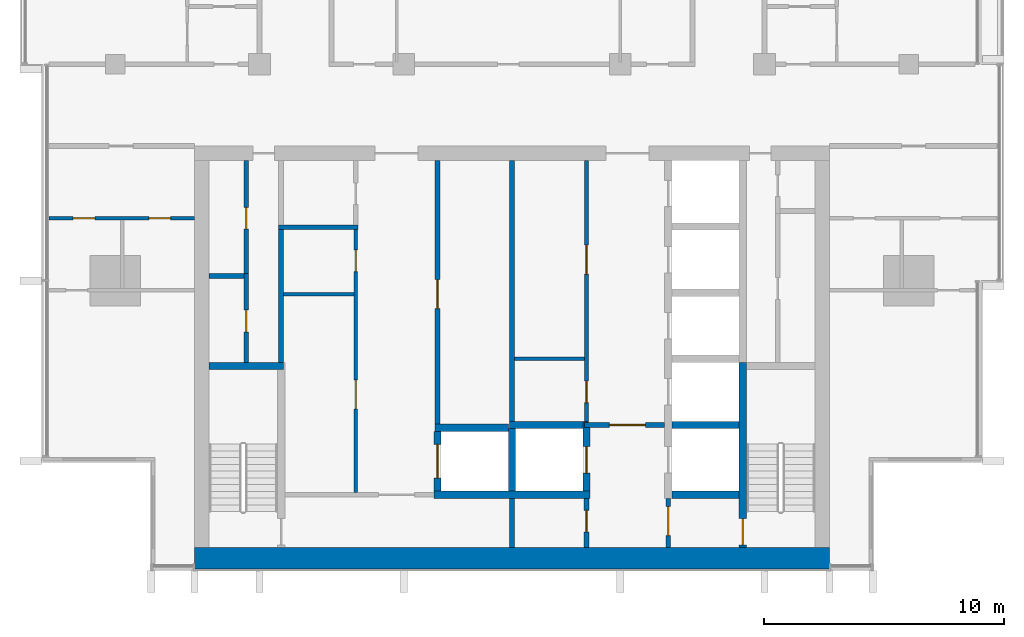
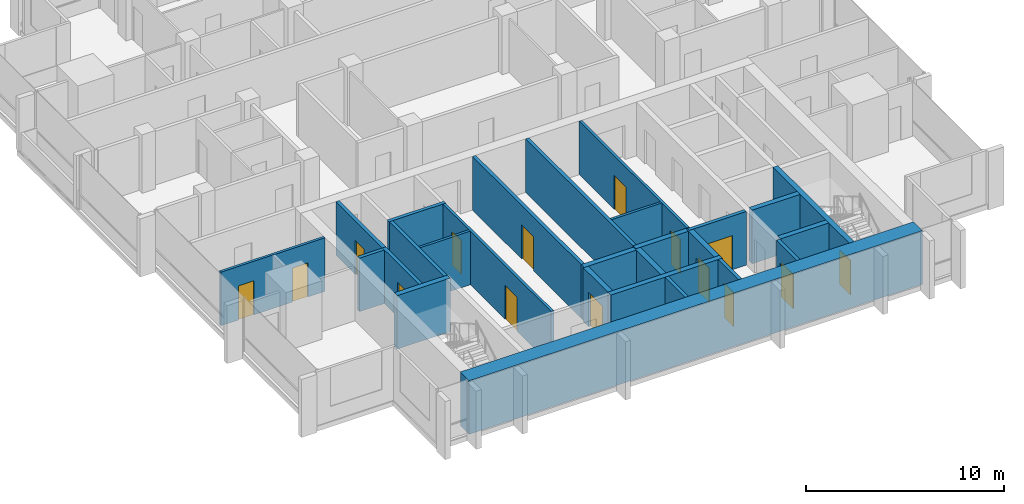
# One storey, part 7 of 16: 27 walls, 15 doors, 15 openings.
"""IFC4 building model written with IfcOpenShell, lengths in metres."""

from ifc_helpers import new_model, si_unit, direction, frame, frame_2d, origin, place, context, subcontext, project, spatial, rectangle, extrude, material, layer, layer_set, type_object, element, fill, save


model = new_model("IFC4")

# Units and contexts
model_context = context("Model", 3, precision=1e-05, world=origin(), true_north=direction((0.0, 1.0)))
body_context = subcontext(model_context, "Body", "Model", "MODEL_VIEW")
ifc_project = project(units=[si_unit("LENGTHUNIT", "METRE"), si_unit("AREAUNIT", "SQUARE_METRE"), si_unit("VOLUMEUNIT", "CUBIC_METRE"), si_unit("PLANEANGLEUNIT", "RADIAN"), si_unit("MASSUNIT", "GRAM", prefix="KILO")], contexts=[model_context])

# Site, building, storey
site_placement = place(None, origin())
site = spatial("IfcSite", under=ifc_project, at=site_placement, CompositionType="ELEMENT")
building_placement = place(site_placement, origin())
building = spatial("IfcBuilding", under=site, at=building_placement, Name="Finial Court Residences", CompositionType="ELEMENT")
storey_placement = place(building_placement, frame((0.0, 0.0, 237.5)))
storey = spatial("IfcBuildingStorey", under=building, at=storey_placement, Name="L60", CompositionType="ELEMENT", Elevation=237.5)

# Walls
ifc_material_1 = material(Name="Fire-rated gypsum board partition")
ifc_layer_1 = layer(ifc_material_1, 0.14990234375)
ifc_layer_set_1 = layer_set([ifc_layer_1], Name="Core room partition 150 EI 60")
wall_type_1 = type_object("IfcWallType", Name="Core room partition 150 EI 60", PredefinedType="PARTITIONING", material=ifc_layer_set_1)
wall_1_placement = place(storey_placement, frame((0.10009765625, -16.75, 0.0), z_axis=(0.0, 0.0, 1.0), x_axis=(1.0, 0.0, 0.0)))
element("IfcWall", 1, at=wall_1_placement, inside=storey, type_object=wall_type_1, Name="Core partition L60-10", PredefinedType="PARTITIONING", context=body_context, shape_type="SweptSolid", body=[
    extrude(rectangle(XDim=2.9248046875, YDim=0.14990234375, at=frame_2d((1.46240234375, 0.0))), origin(), (0.0, 0.0, 1.0), 3.300048828125),
])
wall_2_placement = place(storey_placement, frame((-9.5, -14.06005859375, 0.0), z_axis=(0.0, 0.0, 1.0), x_axis=(1.0, 0.0, 0.0)))
element("IfcWall", 2, at=wall_2_placement, inside=storey, type_object=wall_type_1, Name="Core partition L60-12", PredefinedType="PARTITIONING", context=body_context, shape_type="SweptSolid", body=[
    extrude(rectangle(XDim=2.925048828125, YDim=0.14990234375, at=frame_2d((1.46240234375, 0.0))), origin(), (0.0, 0.0, 1.0), 3.300048828125),
])

# Wall, openings, doors
wall_3_placement = place(storey_placement, frame((-6.5, -22.300048828125, 0.0), z_axis=(0.0, 0.0, 1.0), x_axis=(0.0, 1.0, 0.0)))
wall_3 = element("IfcWall", 3, at=wall_3_placement, inside=storey, type_object=wall_type_1, Name="Core partition L60-23", PredefinedType="PARTITIONING", context=body_context, shape_type="SweptSolid", body=[
    extrude(rectangle(XDim=10.920166015625, YDim=0.14990234375, at=frame_2d((5.4599609375, 0.0))), origin(), (0.0, 0.0, 1.0), 3.300048828125),
])
opening_1_placement = place(wall_3_placement, frame((3.469970703125, 0.0, 0.0)))
opening_1 = element("IfcOpeningElement", 4, at=opening_1_placement, cuts=wall_3, Name="Opening L60-C15", PredefinedType="OPENING", context=body_context, shape_type="SweptSolid", body=[
    extrude(rectangle(XDim=1.199951171875, YDim=2.10009765625, at=frame_2d((0.60009765625, 1.050048828125))), frame((0.0, 0.0849609375, 0.0), z_axis=(0.0, -1.0, 0.0), x_axis=(1.0, 0.0, 0.0)), (0.0, 0.0, 1.0), 0.169921875),
])
opening_2_placement = place(wall_3_placement, frame((9.179931640625, 0.0, 0.0)))
opening_2 = element("IfcOpeningElement", 5, at=opening_2_placement, cuts=wall_3, Name="Opening L60-C16", PredefinedType="OPENING", context=body_context, shape_type="SweptSolid", body=[
    extrude(rectangle(XDim=0.89990234375, YDim=2.10009765625, at=frame_2d((0.449951171875, 1.050048828125))), frame((0.0, 0.0849609375, 0.0), z_axis=(0.0, -1.0, 0.0), x_axis=(1.0, 0.0, 0.0)), (0.0, 0.0, 1.0), 0.169921875),
])
ifc_material_2 = material(Name="Steel fire door", Category="steel")
door_type_1 = type_object("IfcDoorType", Name="Core room door 1200 x 2100 EI 60", OperationType="NOTDEFINED", PredefinedType="DOOR", material=ifc_material_2)
door_1_placement = place(opening_1_placement, origin())
door_1 = element("IfcDoor", 6, at=door_1_placement, inside=storey, type_object=door_type_1, Name="Core room door L60-C15", OperationType="SINGLE_SWING_LEFT", OverallHeight=2.10009765625, OverallWidth=1.199951171875, PredefinedType="DOOR", context=body_context, shape_type="SweptSolid", body=[
    extrude(rectangle(XDim=1.199951171875, YDim=2.10009765625, at=frame_2d((0.60009765625, 1.050048828125))), frame((0.0, 0.02490234375, 0.0), z_axis=(0.0, -1.0, 0.0), x_axis=(1.0, 0.0, 0.0)), (0.0, 0.0, 1.0), 0.050048828125),
])
fill(opening_1, door_1)
door_type_2 = type_object("IfcDoorType", Name="Core room door 900 x 2100 EI 60", OperationType="NOTDEFINED", PredefinedType="DOOR", material=ifc_material_2)
door_2_placement = place(opening_2_placement, origin())
door_2 = element("IfcDoor", 7, at=door_2_placement, inside=storey, type_object=door_type_2, Name="Core room door L60-C16", OperationType="SINGLE_SWING_LEFT", OverallHeight=2.10009765625, OverallWidth=0.89990234375, PredefinedType="DOOR", context=body_context, shape_type="SweptSolid", body=[
    extrude(rectangle(XDim=0.89990234375, YDim=2.10009765625, at=frame_2d((0.449951171875, 1.050048828125))), frame((0.0, 0.02490234375, 0.0), z_axis=(0.0, -1.0, 0.0), x_axis=(1.0, 0.0, 0.0)), (0.0, 0.0, 1.0), 0.050048828125),
])
fill(opening_2, door_2)

wall_4_placement = place(storey_placement, frame((3.10009765625, -19.39990234375, 0.0), z_axis=(0.0, 0.0, 1.0), x_axis=(0.0, 1.0, 0.0)))
wall_4 = element("IfcWall", 8, at=wall_4_placement, inside=storey, type_object=wall_type_1, Name="Core partition L60-32", PredefinedType="PARTITIONING", context=body_context, shape_type="SweptSolid", body=[
    extrude(rectangle(XDim=10.89990234375, YDim=0.14990234375, at=frame_2d((5.449951171875, 0.0))), origin(), (0.0, 0.0, 1.0), 3.300048828125),
])
opening_3_placement = place(wall_4_placement, frame((0.824951171875, 0.0, 0.0)))
opening_3 = element("IfcOpeningElement", 9, at=opening_3_placement, cuts=wall_4, Name="Opening L60-C17", PredefinedType="OPENING", context=body_context, shape_type="SweptSolid", body=[
    extrude(rectangle(XDim=0.89990234375, YDim=2.10009765625, at=frame_2d((0.449951171875, 1.050048828125))), frame((0.0, 0.0849609375, 0.0), z_axis=(0.0, -1.0, 0.0), x_axis=(1.0, 0.0, 0.0)), (0.0, 0.0, 1.0), 0.169921875),
])
opening_4_placement = place(wall_4_placement, frame((6.175048828125, 0.0, 0.0)))
opening_4 = element("IfcOpeningElement", 10, at=opening_4_placement, cuts=wall_4, Name="Opening L60-C18", PredefinedType="OPENING", context=body_context, shape_type="SweptSolid", body=[
    extrude(rectangle(XDim=1.199951171875, YDim=2.10009765625, at=frame_2d((0.60009765625, 1.050048828125))), frame((0.0, 0.0849609375, 0.0), z_axis=(0.0, -1.0, 0.0), x_axis=(1.0, 0.0, 0.0)), (0.0, 0.0, 1.0), 0.169921875),
])
door_3_placement = place(opening_4_placement, origin())
door_3 = element("IfcDoor", 11, at=door_3_placement, inside=storey, type_object=door_type_1, Name="Core room door L60-C18", OperationType="SINGLE_SWING_LEFT", OverallHeight=2.10009765625, OverallWidth=1.199951171875, PredefinedType="DOOR", context=body_context, shape_type="SweptSolid", body=[
    extrude(rectangle(XDim=1.199951171875, YDim=2.10009765625, at=frame_2d((0.60009765625, 1.050048828125))), frame((0.0, 0.02490234375, 0.0), z_axis=(0.0, -1.0, 0.0), x_axis=(1.0, 0.0, 0.0)), (0.0, 0.0, 1.0), 0.050048828125),
])
fill(opening_4, door_3)
door_4_placement = place(opening_3_placement, origin())
door_4 = element("IfcDoor", 12, at=door_4_placement, inside=storey, type_object=door_type_2, Name="Core room door L60-C17", OperationType="SINGLE_SWING_LEFT", OverallHeight=2.10009765625, OverallWidth=0.89990234375, PredefinedType="DOOR", context=body_context, shape_type="SweptSolid", body=[
    extrude(rectangle(XDim=0.89990234375, YDim=2.10009765625, at=frame_2d((0.449951171875, 1.050048828125))), frame((0.0, 0.02490234375, 0.0), z_axis=(0.0, -1.0, 0.0), x_axis=(1.0, 0.0, 0.0)), (0.0, 0.0, 1.0), 0.050048828125),
])
fill(opening_3, door_4)

# Wall
ifc_material_3 = material(Name="Concrete C60/75", Category="concrete")
ifc_layer_2 = layer(ifc_material_3, 0.89990234375)
ifc_layer_set_2 = layer_set([ifc_layer_2], Name="Core south facade wall 900 Concrete C60/75")
wall_type_2 = type_object("IfcWallType", Name="Core south facade wall 900 Concrete C60/75", PredefinedType="SHEAR", material=ifc_layer_set_2)
wall_5_placement = place(storey_placement, frame((-13.199951171875, -25.050048828125, 0.0), z_axis=(0.0, 0.0, 1.0), x_axis=(1.0, 0.0, 0.0)))
element("IfcWall", 13, at=wall_5_placement, inside=storey, type_object=wall_type_2, Name="Core outer wall L60-01", PredefinedType="SHEAR", context=body_context, shape_type="SweptSolid", body=[
    extrude(rectangle(XDim=26.39990234375, YDim=0.89990234375, at=frame_2d((13.199951171875, 0.0))), origin(), (0.0, 0.0, 1.0), 3.300048828125),
])

# Wall, opening, door
ifc_layer_3 = layer(ifc_material_1, 0.199951171875)
ifc_layer_set_3 = layer_set([ifc_layer_3], Name="Firefighting lobby wall 200 EI 120")
wall_type_3 = type_object("IfcWallType", Name="Firefighting lobby wall 200 EI 120", PredefinedType="PARTITIONING", material=ifc_layer_set_3)
wall_6_placement = place(storey_placement, frame((6.35009765625, -19.5, 0.0), z_axis=(0.0, 0.0, 1.0), x_axis=(-1.0, 0.0, 0.0)))
wall_6 = element("IfcWall", 14, at=wall_6_placement, inside=storey, type_object=wall_type_3, Name="Core partition L60-06", PredefinedType="PARTITIONING", context=body_context, shape_type="SweptSolid", body=[
    extrude(rectangle(XDim=3.3251953125, YDim=0.199951171875, at=frame_2d((1.66259765625, 0.0))), origin(), (0.0, 0.0, 1.0), 3.300048828125),
])
opening_5_placement = place(wall_6_placement, frame((0.800048828125, 0.0, 0.0)))
opening_5 = element("IfcOpeningElement", 15, at=opening_5_placement, cuts=wall_6, Name="Opening L60-C02", PredefinedType="OPENING", context=body_context, shape_type="SweptSolid", body=[
    extrude(rectangle(XDim=1.5, YDim=2.10009765625, at=frame_2d((0.75, 1.050048828125))), frame((0.0, 0.10986328125, 0.0), z_axis=(0.0, -1.0, 0.0), x_axis=(1.0, 0.0, 0.0)), (0.0, 0.0, 1.0), 0.219970703125),
])
door_type_3 = type_object("IfcDoorType", Name="Firefighting lobby door 1500 x 2100 EI 90", OperationType="DOUBLE_DOOR_SINGLE_SWING", PredefinedType="DOOR", material=ifc_material_2)
door_5_placement = place(opening_5_placement, origin())
door_5 = element("IfcDoor", 16, at=door_5_placement, inside=storey, type_object=door_type_3, Name="Firefighting lobby door L60-C02", OperationType="DOUBLE_DOOR_SINGLE_SWING", OverallHeight=2.10009765625, OverallWidth=1.5, PredefinedType="DOOR", context=body_context, shape_type="SweptSolid", body=[
    extrude(rectangle(XDim=1.5, YDim=2.10009765625, at=frame_2d((0.75, 1.050048828125))), frame((0.0, 0.02490234375, 0.0), z_axis=(0.0, -1.0, 0.0), x_axis=(1.0, 0.0, 0.0)), (0.0, 0.0, 1.0), 0.050048828125),
])
fill(opening_5, door_5)

wall_7_placement = place(storey_placement, frame((3.10009765625, -24.60009765625, 0.0), z_axis=(0.0, 0.0, 1.0), x_axis=(0.0, 1.0, 0.0)))
wall_7 = element("IfcWall", 17, at=wall_7_placement, inside=storey, type_object=wall_type_3, Name="Core partition L60-30", PredefinedType="PARTITIONING", context=body_context, shape_type="SweptSolid", body=[
    extrude(rectangle(XDim=2.050048828125, YDim=0.199951171875, at=frame_2d((1.02490234375, 0.0))), origin(), (0.0, 0.0, 1.0), 3.300048828125),
])
opening_6_placement = place(wall_7_placement, frame((0.64990234375, 0.0, 0.0)))
opening_6 = element("IfcOpeningElement", 18, at=opening_6_placement, cuts=wall_7, Name="Opening L60-C06", PredefinedType="OPENING", context=body_context, shape_type="SweptSolid", body=[
    extrude(rectangle(XDim=0.89990234375, YDim=2.10009765625, at=frame_2d((0.449951171875, 1.050048828125))), frame((0.0, 0.10986328125, 0.0), z_axis=(0.0, -1.0, 0.0), x_axis=(1.0, 0.0, 0.0)), (0.0, 0.0, 1.0), 0.219970703125),
])
door_type_4 = type_object("IfcDoorType", Name="Riser room door 900 x 2100 EI 90", OperationType="NOTDEFINED", PredefinedType="DOOR", material=ifc_material_2)
door_6_placement = place(opening_6_placement, origin())
door_6 = element("IfcDoor", 19, at=door_6_placement, inside=storey, type_object=door_type_4, Name="Riser room door L60-C06", OperationType="SINGLE_SWING_LEFT", OverallHeight=2.10009765625, OverallWidth=0.89990234375, PredefinedType="DOOR", context=body_context, shape_type="SweptSolid", body=[
    extrude(rectangle(XDim=0.89990234375, YDim=2.10009765625, at=frame_2d((0.449951171875, 1.050048828125))), frame((0.0, 0.02490234375, 0.0), z_axis=(0.0, -1.0, 0.0), x_axis=(1.0, 0.0, 0.0)), (0.0, 0.0, 1.0), 0.050048828125),
])
fill(opening_6, door_6)

wall_8_placement = place(storey_placement, frame((6.5, -22.550048828125, 0.0), z_axis=(0.0, 0.0, 1.0), x_axis=(0.0, -1.0, 0.0)))
wall_8 = element("IfcWall", 20, at=wall_8_placement, inside=storey, type_object=wall_type_3, Name="Core partition L60-33", PredefinedType="PARTITIONING", context=body_context, shape_type="SweptSolid", body=[
    extrude(rectangle(XDim=2.050048828125, YDim=0.199951171875, at=frame_2d((1.02490234375, 0.0))), origin(), (0.0, 0.0, 1.0), 3.300048828125),
])
opening_7_placement = place(wall_8_placement, frame((0.35009765625, 0.0, 0.0)))
opening_7 = element("IfcOpeningElement", 21, at=opening_7_placement, cuts=wall_8, Name="Opening L60-C01", PredefinedType="OPENING", context=body_context, shape_type="SweptSolid", body=[
    extrude(rectangle(XDim=1.199951171875, YDim=2.10009765625, at=frame_2d((0.60009765625, 1.050048828125))), frame((0.0, 0.10986328125, 0.0), z_axis=(0.0, -1.0, 0.0), x_axis=(1.0, 0.0, 0.0)), (0.0, 0.0, 1.0), 0.219970703125),
])
door_type_5 = type_object("IfcDoorType", Name="Firefighting lobby door 1200 x 2100 EI 90", OperationType="NOTDEFINED", PredefinedType="DOOR", material=ifc_material_2)
door_7_placement = place(opening_7_placement, origin())
door_7 = element("IfcDoor", 22, at=door_7_placement, inside=storey, type_object=door_type_5, Name="Firefighting lobby door L60-C01", OperationType="SINGLE_SWING_RIGHT", OverallHeight=2.10009765625, OverallWidth=1.199951171875, PredefinedType="DOOR", context=body_context, shape_type="SweptSolid", body=[
    extrude(rectangle(XDim=1.199951171875, YDim=2.10009765625, at=frame_2d((0.60009765625, 1.050048828125))), frame((0.0, 0.02490234375, 0.0), z_axis=(0.0, -1.0, 0.0), x_axis=(1.0, 0.0, 0.0)), (0.0, 0.0, 1.0), 0.050048828125),
])
fill(opening_7, door_7)

# Wall, openings, doors
ifc_material_4 = material(Name="Moisture-resistant gypsum board")
ifc_layer_4 = layer(ifc_material_4, 0.012451171875)
ifc_material_5 = material(Name="Mineral wool in light-gauge frame")
ifc_layer_5 = layer(ifc_material_5, 0.125)
ifc_layer_6 = layer(ifc_material_4, 0.012451171875)
ifc_layer_set_4 = layer_set([ifc_layer_4, ifc_layer_5, ifc_layer_6], Name="Gypsum board wet-area partition 150")
wall_type_4 = type_object("IfcWallType", Name="Gypsum board wet-area partition 150", PredefinedType="PARTITIONING", material=ifc_layer_set_4)
wall_9_placement = place(storey_placement, frame((-19.262451171875, -10.89990234375, 0.0), z_axis=(0.0, 0.0, 1.0), x_axis=(1.0, 0.0, 0.0)))
wall_9 = element("IfcWall", 23, at=wall_9_placement, inside=storey, type_object=wall_type_4, Name="Partition L60-002", PredefinedType="PARTITIONING", context=body_context, shape_type="SweptSolid", body=[
    extrude(rectangle(XDim=6.0625, YDim=0.14990234375, at=frame_2d((3.03125, 0.0))), origin(), (0.0, 0.0, 1.0), 3.300048828125),
])
opening_8_placement = place(wall_9_placement, frame((1.011962890625, 0.0, 0.0)))
opening_8 = element("IfcOpeningElement", 24, at=opening_8_placement, cuts=wall_9, Name="Opening L60-D003", PredefinedType="OPENING", context=body_context, shape_type="SweptSolid", body=[
    extrude(rectangle(XDim=0.89990234375, YDim=2.10009765625, at=frame_2d((0.449951171875, 1.050048828125))), frame((0.0, 0.0849609375, 0.0), z_axis=(0.0, -1.0, 0.0), x_axis=(1.0, 0.0, 0.0)), (0.0, 0.0, 1.0), 0.169921875),
])
opening_9_placement = place(wall_9_placement, frame((4.162109375, 0.0, 0.0)))
opening_9 = element("IfcOpeningElement", 25, at=opening_9_placement, cuts=wall_9, Name="Opening L60-D004", PredefinedType="OPENING", context=body_context, shape_type="SweptSolid", body=[
    extrude(rectangle(XDim=0.89990234375, YDim=2.10009765625, at=frame_2d((0.449951171875, 1.050048828125))), frame((0.0, 0.0849609375, 0.0), z_axis=(0.0, -1.0, 0.0), x_axis=(1.0, 0.0, 0.0)), (0.0, 0.0, 1.0), 0.169921875),
])
ifc_material_6 = material(Name="Timber door leaf in timber frame", Category="wood")
door_type_6 = type_object("IfcDoorType", Name="Door set 900 x 2100", OperationType="SINGLE_SWING_LEFT", PredefinedType="DOOR", material=ifc_material_6)
door_8_placement = place(opening_8_placement, origin())
door_8 = element("IfcDoor", 26, at=door_8_placement, inside=storey, type_object=door_type_6, Name="Door L60-D003", OperationType="SINGLE_SWING_LEFT", OverallHeight=2.10009765625, OverallWidth=0.89990234375, PredefinedType="DOOR", context=body_context, shape_type="SweptSolid", body=[
    extrude(rectangle(XDim=0.89990234375, YDim=2.10009765625, at=frame_2d((0.449951171875, 1.050048828125))), frame((0.0, 0.02490234375, 0.0), z_axis=(0.0, -1.0, 0.0), x_axis=(1.0, 0.0, 0.0)), (0.0, 0.0, 1.0), 0.050048828125),
])
fill(opening_8, door_8)
door_9_placement = place(opening_9_placement, origin())
door_9 = element("IfcDoor", 27, at=door_9_placement, inside=storey, type_object=door_type_6, Name="Door L60-D004", OperationType="SINGLE_SWING_RIGHT", OverallHeight=2.10009765625, OverallWidth=0.89990234375, PredefinedType="DOOR", context=body_context, shape_type="SweptSolid", body=[
    extrude(rectangle(XDim=0.89990234375, YDim=2.10009765625, at=frame_2d((0.449951171875, 1.050048828125))), frame((0.0, 0.02490234375, 0.0), z_axis=(0.0, -1.0, 0.0), x_axis=(1.0, 0.0, 0.0)), (0.0, 0.0, 1.0), 0.050048828125),
])
fill(opening_9, door_9)

# Walls
ifc_layer_7 = layer(ifc_material_3, 0.300048828125)
ifc_layer_set_5 = layer_set([ifc_layer_7], Name="Lift shaft and stair wall 300 Concrete C60/75")
wall_type_5 = type_object("IfcWallType", Name="Lift shaft and stair wall 300 Concrete C60/75", PredefinedType="SHEAR", material=ifc_layer_set_5)
wall_10_placement = place(storey_placement, frame((-3.25, -22.39990234375, 0.0), z_axis=(0.0, 0.0, 1.0), x_axis=(1.0, 0.0, 0.0)))
element("IfcWall", 28, at=wall_10_placement, inside=storey, type_object=wall_type_5, Name="Core wall L60-02", PredefinedType="SHEAR", context=body_context, shape_type="SweptSolid", body=[
    extrude(rectangle(XDim=6.5, YDim=0.300048828125, at=frame_2d((3.25, 0.0))), origin(), (0.0, 0.0, 1.0), 3.300048828125),
])
wall_11_placement = place(storey_placement, frame((6.64990234375, -22.39990234375, 0.0), z_axis=(0.0, 0.0, 1.0), x_axis=(1.0, 0.0, 0.0)))
element("IfcWall", 29, at=wall_11_placement, inside=storey, type_object=wall_type_5, Name="Core wall L60-03", PredefinedType="SHEAR", context=body_context, shape_type="SweptSolid", body=[
    extrude(rectangle(XDim=2.800048828125, YDim=0.300048828125, at=frame_2d((1.39990234375, 0.0))), origin(), (0.0, 0.0, 1.0), 3.300048828125),
])
wall_12_placement = place(storey_placement, frame((-3.199951171875, -19.6201171875, 0.0), z_axis=(0.0, 0.0, 1.0), x_axis=(1.0, 0.0, 0.0)))
element("IfcWall", 30, at=wall_12_placement, inside=storey, type_object=wall_type_5, Name="Core wall L60-04", PredefinedType="SHEAR", context=body_context, shape_type="SweptSolid", body=[
    extrude(rectangle(XDim=3.050048828125, YDim=0.300048828125, at=frame_2d((1.52490234375, 0.0))), origin(), (0.0, 0.0, 1.0), 3.300048828125),
])
wall_13_placement = place(storey_placement, frame((-0.10009765625, -19.5, 0.0), z_axis=(0.0, 0.0, 1.0), x_axis=(1.0, 0.0, 0.0)))
element("IfcWall", 31, at=wall_13_placement, inside=storey, type_object=wall_type_5, Name="Core wall L60-05", PredefinedType="SHEAR", context=body_context, shape_type="SweptSolid", body=[
    extrude(rectangle(XDim=3.275146484375, YDim=0.300048828125, at=frame_2d((1.6376953125, 0.0))), origin(), (0.0, 0.0, 1.0), 3.300048828125),
])
wall_14_placement = place(storey_placement, frame((6.64990234375, -19.5, 0.0), z_axis=(0.0, 0.0, 1.0), x_axis=(1.0, 0.0, 0.0)))
element("IfcWall", 32, at=wall_14_placement, inside=storey, type_object=wall_type_5, Name="Core wall L60-07", PredefinedType="SHEAR", context=body_context, shape_type="SweptSolid", body=[
    extrude(rectangle(XDim=2.800048828125, YDim=0.300048828125, at=frame_2d((1.39990234375, 0.0))), origin(), (0.0, 0.0, 1.0), 3.300048828125),
])
wall_15_placement = place(storey_placement, frame((-12.60009765625, -17.050048828125, 0.0), z_axis=(0.0, 0.0, 1.0), x_axis=(1.0, 0.0, 0.0)))
element("IfcWall", 33, at=wall_15_placement, inside=storey, type_object=wall_type_5, Name="Core wall L60-08", PredefinedType="SHEAR", context=body_context, shape_type="SweptSolid", body=[
    extrude(rectangle(XDim=3.10009765625, YDim=0.300048828125, at=frame_2d((1.550048828125, 0.0))), origin(), (0.0, 0.0, 1.0), 3.300048828125),
])

# Wall, opening, door
wall_16_placement = place(storey_placement, frame((-3.10009765625, -22.25, 0.0), z_axis=(0.0, 0.0, 1.0), x_axis=(0.0, 1.0, 0.0)))
wall_16 = element("IfcWall", 34, at=wall_16_placement, inside=storey, type_object=wall_type_5, Name="Core wall L60-25", PredefinedType="SHEAR", context=body_context, shape_type="SweptSolid", body=[
    extrude(rectangle(XDim=2.47998046875, YDim=0.300048828125, at=frame_2d((1.239990234375, 0.0))), origin(), (0.0, 0.0, 1.0), 3.300048828125),
])
opening_10_placement = place(wall_16_placement, frame((0.5400390625, 0.0, 0.0)))
opening_10 = element("IfcOpeningElement", 35, at=opening_10_placement, cuts=wall_16, Name="Opening L60-LD07", PredefinedType="OPENING", context=body_context, shape_type="SweptSolid", body=[
    extrude(rectangle(XDim=1.39990234375, YDim=2.10009765625, at=frame_2d((0.699951171875, 1.050048828125))), frame((0.0, 0.159912109375, 0.0), z_axis=(0.0, -1.0, 0.0), x_axis=(1.0, 0.0, 0.0)), (0.0, 0.0, 1.0), 0.320068359375),
])
ifc_material_7 = material(Name="Stainless steel lift door", Category="steel")
door_type_7 = type_object("IfcDoorType", Name="Lift landing door 1400 x 2100 EI 90", OperationType="DOUBLE_DOOR_SLIDING", PredefinedType="DOOR", material=ifc_material_7)
door_10_placement = place(opening_10_placement, origin())
door_10 = element("IfcDoor", 36, at=door_10_placement, inside=storey, type_object=door_type_7, Name="Lift landing door SV1 L60", OperationType="DOUBLE_DOOR_SLIDING", OverallHeight=2.10009765625, OverallWidth=1.39990234375, PredefinedType="DOOR", context=body_context, shape_type="SweptSolid", body=[
    extrude(rectangle(XDim=1.39990234375, YDim=2.10009765625, at=frame_2d((0.699951171875, 1.050048828125))), frame((0.0, 0.02490234375, 0.0), z_axis=(0.0, -1.0, 0.0), x_axis=(1.0, 0.0, 0.0)), (0.0, 0.0, 1.0), 0.050048828125),
])
fill(opening_10, door_10)

# Wall
wall_17_placement = place(storey_placement, frame((0.0, -22.25, 0.0), z_axis=(0.0, 0.0, 1.0), x_axis=(0.0, 1.0, 0.0)))
element("IfcWall", 37, at=wall_17_placement, inside=storey, type_object=wall_type_5, Name="Core wall L60-28", PredefinedType="SHEAR", context=body_context, shape_type="SweptSolid", body=[
    extrude(rectangle(XDim=2.60009765625, YDim=0.300048828125, at=frame_2d((1.300048828125, 0.0))), origin(), (0.0, 0.0, 1.0), 3.300048828125),
])

# Wall, opening, door
wall_18_placement = place(storey_placement, frame((3.10009765625, -22.25, 0.0), z_axis=(0.0, 0.0, 1.0), x_axis=(0.0, 1.0, 0.0)))
wall_18 = element("IfcWall", 38, at=wall_18_placement, inside=storey, type_object=wall_type_5, Name="Core wall L60-31", PredefinedType="SHEAR", context=body_context, shape_type="SweptSolid", body=[
    extrude(rectangle(XDim=2.85009765625, YDim=0.300048828125, at=frame_2d((1.425048828125, 0.0))), origin(), (0.0, 0.0, 1.0), 3.300048828125),
])
opening_11_placement = place(wall_18_placement, frame((0.75, 0.0, 0.0)))
opening_11 = element("IfcOpeningElement", 39, at=opening_11_placement, cuts=wall_18, Name="Opening L60-LD01", PredefinedType="OPENING", context=body_context, shape_type="SweptSolid", body=[
    extrude(rectangle(XDim=1.10009765625, YDim=2.10009765625, at=frame_2d((0.550048828125, 1.050048828125))), frame((0.0, 0.159912109375, 0.0), z_axis=(0.0, -1.0, 0.0), x_axis=(1.0, 0.0, 0.0)), (0.0, 0.0, 1.0), 0.320068359375),
])
door_type_8 = type_object("IfcDoorType", Name="Lift landing door 1100 x 2100 EI 90", OperationType="DOUBLE_DOOR_SLIDING", PredefinedType="DOOR", material=ifc_material_7)
door_11_placement = place(opening_11_placement, origin())
door_11 = element("IfcDoor", 40, at=door_11_placement, inside=storey, type_object=door_type_8, Name="Lift landing door FF1 L60", OperationType="DOUBLE_DOOR_SLIDING", OverallHeight=2.10009765625, OverallWidth=1.10009765625, PredefinedType="DOOR", context=body_context, shape_type="SweptSolid", body=[
    extrude(rectangle(XDim=1.10009765625, YDim=2.10009765625, at=frame_2d((0.550048828125, 1.050048828125))), frame((0.0, 0.02490234375, 0.0), z_axis=(0.0, -1.0, 0.0), x_axis=(1.0, 0.0, 0.0)), (0.0, 0.0, 1.0), 0.050048828125),
])
fill(opening_11, door_11)

wall_19_placement = place(storey_placement, frame((9.60009765625, -16.89990234375, 0.0), z_axis=(0.0, 0.0, 1.0), x_axis=(0.0, -1.0, 0.0)))
wall_19 = element("IfcWall", 41, at=wall_19_placement, inside=storey, type_object=wall_type_5, Name="Core wall L60-35", PredefinedType="SHEAR", context=body_context, shape_type="SweptSolid", body=[
    extrude(rectangle(XDim=7.7001953125, YDim=0.300048828125, at=frame_2d((3.85009765625, 0.0))), origin(), (0.0, 0.0, 1.0), 3.300048828125),
])
opening_12_placement = place(wall_19_placement, frame((6.5, 0.0, 0.0)))
opening_12 = element("IfcOpeningElement", 42, at=opening_12_placement, cuts=wall_19, Name="Opening L60-C20", PredefinedType="OPENING", context=body_context, shape_type="SweptSolid", body=[
    extrude(rectangle(XDim=1.10009765625, YDim=2.10009765625, at=frame_2d((0.550048828125, 1.050048828125))), frame((0.0, 0.159912109375, 0.0), z_axis=(0.0, -1.0, 0.0), x_axis=(1.0, 0.0, 0.0)), (0.0, 0.0, 1.0), 0.320068359375),
])
door_type_9 = type_object("IfcDoorType", Name="Stair door 1100 x 2100 EI 90", OperationType="NOTDEFINED", PredefinedType="DOOR", material=ifc_material_2)
door_12_placement = place(opening_12_placement, origin())
door_12 = element("IfcDoor", 43, at=door_12_placement, inside=storey, type_object=door_type_9, Name="Stair door L60-C20", OperationType="SINGLE_SWING_RIGHT", OverallHeight=2.10009765625, OverallWidth=1.10009765625, PredefinedType="DOOR", context=body_context, shape_type="SweptSolid", body=[
    extrude(rectangle(XDim=1.10009765625, YDim=2.10009765625, at=frame_2d((0.550048828125, 1.050048828125))), frame((0.0, 0.02490234375, 0.0), z_axis=(0.0, -1.0, 0.0), x_axis=(1.0, 0.0, 0.0)), (0.0, 0.0, 1.0), 0.050048828125),
])
fill(opening_12, door_12)

# Walls
ifc_layer_8 = layer(ifc_material_1, 0.199951171875)
ifc_layer_set_6 = layer_set([ifc_layer_8], Name="Riser room wall 200 EI 120")
wall_type_6 = type_object("IfcWallType", Name="Riser room wall 200 EI 120", PredefinedType="PARTITIONING", material=ifc_layer_set_6)
wall_20_placement = place(storey_placement, frame((-12.60009765625, -13.300048828125, 0.0), z_axis=(0.0, 0.0, 1.0), x_axis=(1.0, 0.0, 0.0)))
element("IfcWall", 44, at=wall_20_placement, inside=storey, type_object=wall_type_6, Name="Core partition L60-14", PredefinedType="PARTITIONING", context=body_context, shape_type="SweptSolid", body=[
    extrude(rectangle(XDim=1.4501953125, YDim=0.199951171875, at=frame_2d((0.72509765625, 0.0))), origin(), (0.0, 0.0, 1.0), 3.300048828125),
])
wall_21_placement = place(storey_placement, frame((-9.699951171875, -11.280029296875, 0.0), z_axis=(0.0, 0.0, 1.0), x_axis=(1.0, 0.0, 0.0)))
element("IfcWall", 45, at=wall_21_placement, inside=storey, type_object=wall_type_6, Name="Core partition L60-15", PredefinedType="PARTITIONING", context=body_context, shape_type="SweptSolid", body=[
    extrude(rectangle(XDim=3.300048828125, YDim=0.199951171875, at=frame_2d((1.64990234375, 0.0))), origin(), (0.0, 0.0, 1.0), 3.300048828125),
])

# Wall, opening, door
wall_22_placement = place(storey_placement, frame((-11.050048828125, -13.39990234375, 0.0), z_axis=(0.0, 0.0, 1.0), x_axis=(0.0, 1.0, 0.0)))
wall_22 = element("IfcWall", 46, at=wall_22_placement, inside=storey, type_object=wall_type_6, Name="Core partition L60-19", PredefinedType="PARTITIONING", context=body_context, shape_type="SweptSolid", body=[
    extrude(rectangle(XDim=4.89990234375, YDim=0.199951171875, at=frame_2d((2.449951171875, 0.0))), origin(), (0.0, 0.0, 1.0), 3.300048828125),
])
opening_13_placement = place(wall_22_placement, frame((2.050048828125, 0.0, 0.0)))
opening_13 = element("IfcOpeningElement", 47, at=opening_13_placement, cuts=wall_22, Name="Opening L60-C07", PredefinedType="OPENING", context=body_context, shape_type="SweptSolid", body=[
    extrude(rectangle(XDim=0.89990234375, YDim=2.10009765625, at=frame_2d((0.449951171875, 1.050048828125))), frame((0.0, 0.10986328125, 0.0), z_axis=(0.0, -1.0, 0.0), x_axis=(1.0, 0.0, 0.0)), (0.0, 0.0, 1.0), 0.219970703125),
])
door_13_placement = place(opening_13_placement, origin())
door_13 = element("IfcDoor", 48, at=door_13_placement, inside=storey, type_object=door_type_4, Name="Riser room door L60-C07", OperationType="SINGLE_SWING_LEFT", OverallHeight=2.10009765625, OverallWidth=0.89990234375, PredefinedType="DOOR", context=body_context, shape_type="SweptSolid", body=[
    extrude(rectangle(XDim=0.89990234375, YDim=2.10009765625, at=frame_2d((0.449951171875, 1.050048828125))), frame((0.0, 0.02490234375, 0.0), z_axis=(0.0, -1.0, 0.0), x_axis=(1.0, 0.0, 0.0)), (0.0, 0.0, 1.0), 0.050048828125),
])
fill(opening_13, door_13)

wall_23_placement = place(storey_placement, frame((-3.10009765625, -8.5, 0.0), z_axis=(0.0, 0.0, 1.0), x_axis=(0.0, -1.0, 0.0)))
wall_23 = element("IfcWall", 49, at=wall_23_placement, inside=storey, type_object=wall_type_6, Name="Core partition L60-26", PredefinedType="PARTITIONING", context=body_context, shape_type="SweptSolid", body=[
    extrude(rectangle(XDim=10.969970703125, YDim=0.199951171875, at=frame_2d((5.48486328125, 0.0))), origin(), (0.0, 0.0, 1.0), 3.300048828125),
])
opening_14_placement = place(wall_23_placement, frame((4.9599609375, 0.0, 0.0)))
opening_14 = element("IfcOpeningElement", 50, at=opening_14_placement, cuts=wall_23, Name="Opening L60-C10", PredefinedType="OPENING", context=body_context, shape_type="SweptSolid", body=[
    extrude(rectangle(XDim=1.199951171875, YDim=2.10009765625, at=frame_2d((0.60009765625, 1.050048828125))), frame((0.0, 0.10986328125, 0.0), z_axis=(0.0, -1.0, 0.0), x_axis=(1.0, 0.0, 0.0)), (0.0, 0.0, 1.0), 0.219970703125),
])
door_type_10 = type_object("IfcDoorType", Name="Riser room door 1200 x 2100 EI 90", OperationType="NOTDEFINED", PredefinedType="DOOR", material=ifc_material_2)
door_14_placement = place(opening_14_placement, origin())
door_14 = element("IfcDoor", 51, at=door_14_placement, inside=storey, type_object=door_type_10, Name="Riser room door L60-C10", OperationType="SINGLE_SWING_RIGHT", OverallHeight=2.10009765625, OverallWidth=1.199951171875, PredefinedType="DOOR", context=body_context, shape_type="SweptSolid", body=[
    extrude(rectangle(XDim=1.199951171875, YDim=2.10009765625, at=frame_2d((0.60009765625, 1.050048828125))), frame((0.0, 0.02490234375, 0.0), z_axis=(0.0, -1.0, 0.0), x_axis=(1.0, 0.0, 0.0)), (0.0, 0.0, 1.0), 0.050048828125),
])
fill(opening_14, door_14)

# Walls
wall_24_placement = place(storey_placement, frame((0.0, -24.60009765625, 0.0), z_axis=(0.0, 0.0, 1.0), x_axis=(0.0, 1.0, 0.0)))
element("IfcWall", 52, at=wall_24_placement, inside=storey, type_object=wall_type_6, Name="Core partition L60-27", PredefinedType="PARTITIONING", context=body_context, shape_type="SweptSolid", body=[
    extrude(rectangle(XDim=2.050048828125, YDim=0.199951171875, at=frame_2d((1.02490234375, 0.0))), origin(), (0.0, 0.0, 1.0), 3.300048828125),
])
wall_25_placement = place(storey_placement, frame((0.0, -19.35009765625, 0.0), z_axis=(0.0, 0.0, 1.0), x_axis=(0.0, 1.0, 0.0)))
element("IfcWall", 53, at=wall_25_placement, inside=storey, type_object=wall_type_6, Name="Core partition L60-29", PredefinedType="PARTITIONING", context=body_context, shape_type="SweptSolid", body=[
    extrude(rectangle(XDim=10.85009765625, YDim=0.199951171875, at=frame_2d((5.425048828125, 0.0))), origin(), (0.0, 0.0, 1.0), 3.300048828125),
])

# Wall, opening, door
ifc_layer_9 = layer(ifc_material_1, 0.199951171875)
ifc_layer_set_7 = layer_set([ifc_layer_9], Name="Stair passage wall 200 EI 180")
wall_type_7 = type_object("IfcWallType", Name="Stair passage wall 200 EI 180", PredefinedType="PARTITIONING", material=ifc_layer_set_7)
wall_26_placement = place(storey_placement, frame((-11.050048828125, -16.89990234375, 0.0), z_axis=(0.0, 0.0, 1.0), x_axis=(0.0, 1.0, 0.0)))
wall_26 = element("IfcWall", 54, at=wall_26_placement, inside=storey, type_object=wall_type_7, Name="Core partition L60-18", PredefinedType="PARTITIONING", context=body_context, shape_type="SweptSolid", body=[
    extrude(rectangle(XDim=3.699951171875, YDim=0.199951171875, at=frame_2d((1.85009765625, 0.0))), origin(), (0.0, 0.0, 1.0), 3.300048828125),
])
opening_15_placement = place(wall_26_placement, frame((1.27490234375, 0.0, 0.0)))
opening_15 = element("IfcOpeningElement", 55, at=opening_15_placement, cuts=wall_26, Name="Opening L60-C13", PredefinedType="OPENING", context=body_context, shape_type="SweptSolid", body=[
    extrude(rectangle(XDim=0.89990234375, YDim=2.10009765625, at=frame_2d((0.449951171875, 1.050048828125))), frame((0.0, 0.10986328125, 0.0), z_axis=(0.0, -1.0, 0.0), x_axis=(1.0, 0.0, 0.0)), (0.0, 0.0, 1.0), 0.219970703125),
])
door_15_placement = place(opening_15_placement, origin())
door_15 = element("IfcDoor", 56, at=door_15_placement, inside=storey, type_object=door_type_2, Name="Core room door L60-C13", OperationType="SINGLE_SWING_LEFT", OverallHeight=2.10009765625, OverallWidth=0.89990234375, PredefinedType="DOOR", context=body_context, shape_type="SweptSolid", body=[
    extrude(rectangle(XDim=0.89990234375, YDim=2.10009765625, at=frame_2d((0.449951171875, 1.050048828125))), frame((0.0, 0.02490234375, 0.0), z_axis=(0.0, -1.0, 0.0), x_axis=(1.0, 0.0, 0.0)), (0.0, 0.0, 1.0), 0.050048828125),
])
fill(opening_15, door_15)

# Wall
wall_27_placement = place(storey_placement, frame((-9.60009765625, -16.89990234375, 0.0), z_axis=(0.0, 0.0, 1.0), x_axis=(0.0, 1.0, 0.0)))
element("IfcWall", 57, at=wall_27_placement, inside=storey, type_object=wall_type_7, Name="Core partition L60-21", PredefinedType="PARTITIONING", context=body_context, shape_type="SweptSolid", body=[
    extrude(rectangle(XDim=5.719970703125, YDim=0.199951171875, at=frame_2d((2.85986328125, 0.0))), origin(), (0.0, 0.0, 1.0), 3.300048828125),
])

save(model, "model.ifc")
